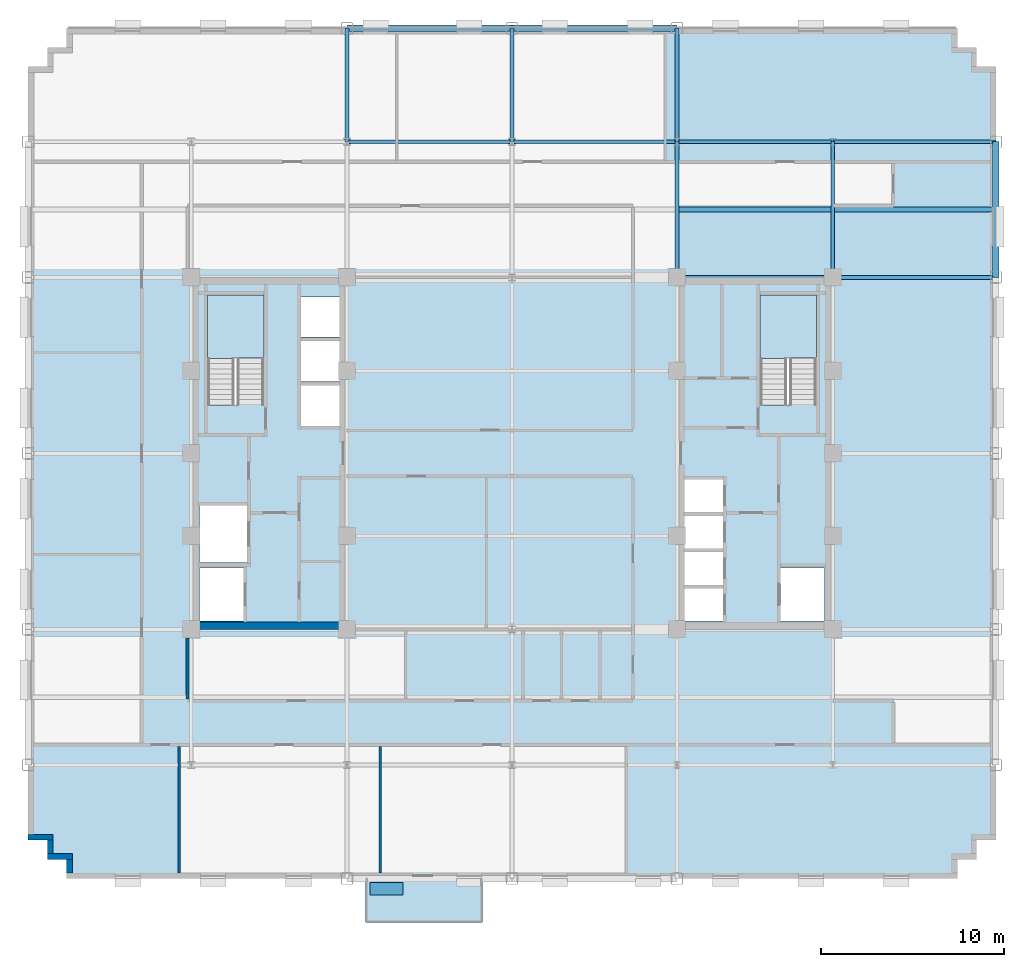
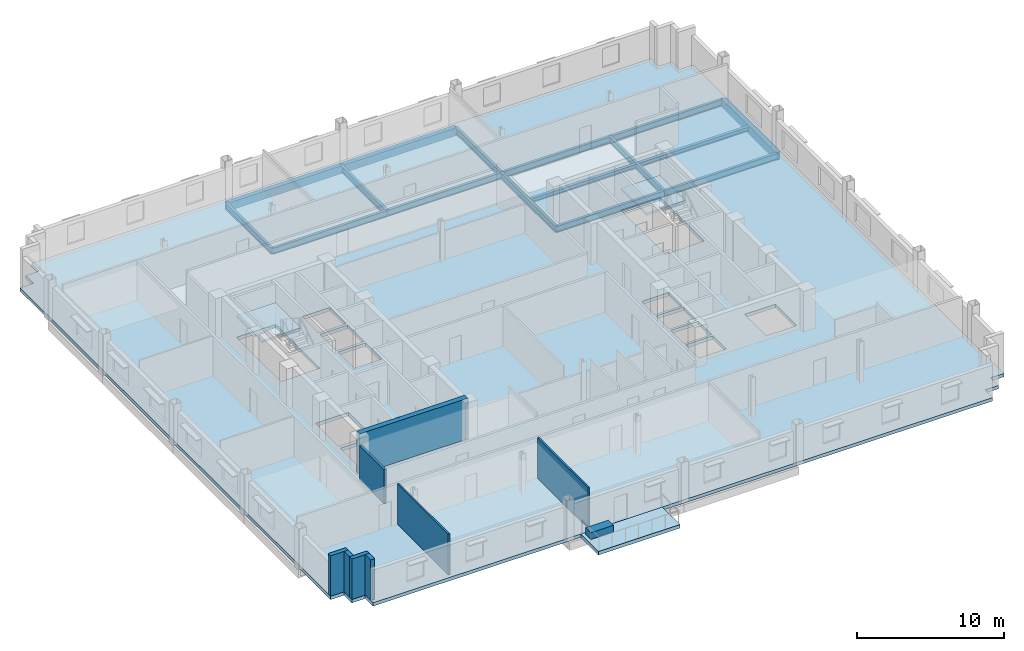
# One storey, part 5 of 13: 16 beams, 8 walls, 4 slabs, 1 plate, 2 elements without a shape of their own.
"""IFC4 building model written with IfcOpenShell, lengths in metres."""

from ifc_helpers import new_model, si_unit, direction, frame, frame_2d, origin, origin_2d, place, context, subcontext, project, spatial, polyline, rectangle, i_section, outline, extrude, source, transform, mapped, material, layer, layer_set, material_profile, profile_set, type_object, type_shapes, element, aggregate, save


model = new_model("IFC4")

# Units and contexts
model_context = context("Model", 3, precision=1e-05, world=origin(), true_north=direction((0.0, 1.0)))
body_context = subcontext(model_context, "Body", "Model", "MODEL_VIEW")
ifc_project = project(units=[si_unit("LENGTHUNIT", "METRE"), si_unit("AREAUNIT", "SQUARE_METRE"), si_unit("VOLUMEUNIT", "CUBIC_METRE"), si_unit("PLANEANGLEUNIT", "RADIAN"), si_unit("MASSUNIT", "GRAM", prefix="KILO")], contexts=[model_context])

# Site, building, storey
site_placement = place(None, origin())
site = spatial("IfcSite", under=ifc_project, at=site_placement, CompositionType="ELEMENT")
building_placement = place(site_placement, origin())
building = spatial("IfcBuilding", under=site, at=building_placement, Name="Nuvemarco Arch Tower", CompositionType="ELEMENT")
storey_placement = place(building_placement, frame((0.0, 0.0, 153.050048828125)))
storey = spatial("IfcBuildingStorey", under=building, at=storey_placement, Name="L40", CompositionType="ELEMENT", Elevation=153.050048828125)

# Beams
ifc_material_1 = material(Name="Steel S355", Category="steel")
ifc_material_profile_1 = material_profile(ifc_material_1, i_section(OverallWidth=0.2109375, OverallDepth=0.5390625, WebThickness=0.01171875, FlangeThickness=0.018798828125, FilletRadius=0.01611328125, at=origin_2d()), Name="W530x109")
ifc_profile_set_1 = profile_set([ifc_material_profile_1], Name="Steel S355")
beam_type_1 = type_object("IfcBeamType", Name="BM-GIRD-530", PredefinedType="BEAM", material=ifc_profile_set_1)
for number, where, z_axis, x_axis, name in (
    (1, (-9.0, 17.0, -0.549560546875), (0.0, 1.0, 0.0), (-1.0, 0.0, 0.0), "L40 structural beam BGNS_L40_0_-9.0_+17.0"),
    (2, (0.0, 17.0, -0.549560546875), (0.0, 1.0, 0.0), (-1.0, 0.0, 0.0), "L40 structural beam BGNS_L40_0_+0.0_+17.0"),
):
    element("IfcBeam", number, at=place(storey_placement, frame(where, z_axis=z_axis, x_axis=x_axis)), inside=storey, type_object=beam_type_1, Name=name, PredefinedType="BEAM", context=body_context, shape_type="SweptSolid", body=[
        extrude(i_section(OverallWidth=0.2109375, OverallDepth=0.5390625, WebThickness=0.01171875, FlangeThickness=0.018798828125, FilletRadius=0.01611328125, at=origin_2d()), origin(), (0.0, 0.0, 1.0), 6.199951171875),
    ])
beam_1_placement = place(storey_placement, frame((9.0, 9.60009765625, -0.549560546875), z_axis=(0.0, 1.0, 0.0), x_axis=(-1.0, 0.0, 0.0)))
element("IfcBeam", 3, at=beam_1_placement, inside=storey, type_object=beam_type_1, Name="L40 structural beam BGNS_L40_0_+9.0_+9.6", PredefinedType="BEAM", context=body_context, shape_type="SweptSolid", body=[
    extrude(i_section(OverallWidth=0.2109375, OverallDepth=0.5390625, WebThickness=0.01171875, FlangeThickness=0.018798828125, FilletRadius=0.01611328125, at=origin_2d()), origin(), (0.0, 0.0, 1.0), 7.39990234375),
])
beam_2_placement = place(storey_placement, frame((9.0, 17.0, -0.549560546875), z_axis=(0.0, 1.0, 0.0), x_axis=(-1.0, 0.0, 0.0)))
element("IfcBeam", 4, at=beam_2_placement, inside=storey, type_object=beam_type_1, Name="L40 structural beam BGNS_L40_0_+9.0_+17.0", PredefinedType="BEAM", context=body_context, shape_type="SweptSolid", body=[
    extrude(i_section(OverallWidth=0.2109375, OverallDepth=0.5390625, WebThickness=0.01171875, FlangeThickness=0.018798828125, FilletRadius=0.01611328125, at=origin_2d()), origin(), (0.0, 0.0, 1.0), 6.199951171875),
])
beam_3_placement = place(storey_placement, frame((17.5, 9.60009765625, -0.549560546875), z_axis=(0.0, 1.0, 0.0), x_axis=(-1.0, 0.0, 0.0)))
element("IfcBeam", 5, at=beam_3_placement, inside=storey, type_object=beam_type_1, Name="L40 structural beam BGNS_L40_0_+17.5_+9.6", PredefinedType="BEAM", context=body_context, shape_type="SweptSolid", body=[
    extrude(i_section(OverallWidth=0.2109375, OverallDepth=0.5390625, WebThickness=0.01171875, FlangeThickness=0.018798828125, FilletRadius=0.01611328125, at=origin_2d()), origin(), (0.0, 0.0, 1.0), 7.39990234375),
])
beam_4_placement = place(storey_placement, frame((9.0, 9.60009765625, -0.549560546875), z_axis=(1.0, 0.0, 0.0), x_axis=(0.0, 1.0, 0.0)))
element("IfcBeam", 6, at=beam_4_placement, inside=storey, type_object=beam_type_1, Name="L40 structural beam BGEW_L40_0_+9.6_+9.0", PredefinedType="BEAM", context=body_context, shape_type="SweptSolid", body=[
    extrude(i_section(OverallWidth=0.2109375, OverallDepth=0.5390625, WebThickness=0.01171875, FlangeThickness=0.018798828125, FilletRadius=0.01611328125, at=origin_2d()), origin(), (0.0, 0.0, 1.0), 8.5),
])
beam_5_placement = place(storey_placement, frame((17.5, 9.60009765625, -0.549560546875), z_axis=(1.0, 0.0, 0.0), x_axis=(0.0, 1.0, 0.0)))
element("IfcBeam", 7, at=beam_5_placement, inside=storey, type_object=beam_type_1, Name="L40 structural beam BGEW_L40_0_+9.6_+17.5", PredefinedType="BEAM", context=body_context, shape_type="SweptSolid", body=[
    extrude(i_section(OverallWidth=0.2109375, OverallDepth=0.5390625, WebThickness=0.01171875, FlangeThickness=0.018798828125, FilletRadius=0.01611328125, at=origin_2d()), origin(), (0.0, 0.0, 1.0), 8.89990234375),
])
for number, where, z_axis, x_axis, name in (
    (8, (-9.0, 17.0, -0.549560546875), (1.0, 0.0, 0.0), (0.0, 1.0, 0.0), "L40 structural beam BGEW_L40_0_+17.0_-9.0"),
    (9, (0.0, 17.0, -0.549560546875), (1.0, 0.0, 0.0), (0.0, 1.0, 0.0), "L40 structural beam BGEW_L40_0_+17.0_+0.0"),
):
    element("IfcBeam", number, at=place(storey_placement, frame(where, z_axis=z_axis, x_axis=x_axis)), inside=storey, type_object=beam_type_1, Name=name, PredefinedType="BEAM", context=body_context, shape_type="SweptSolid", body=[
        extrude(i_section(OverallWidth=0.2109375, OverallDepth=0.5390625, WebThickness=0.01171875, FlangeThickness=0.018798828125, FilletRadius=0.01611328125, at=origin_2d()), origin(), (0.0, 0.0, 1.0), 9.0),
    ])
beam_6_placement = place(storey_placement, frame((9.0, 17.0, -0.549560546875), z_axis=(1.0, 0.0, 0.0), x_axis=(0.0, 1.0, 0.0)))
element("IfcBeam", 10, at=beam_6_placement, inside=storey, type_object=beam_type_1, Name="L40 structural beam BGEW_L40_0_+17.0_+9.0", PredefinedType="BEAM", context=body_context, shape_type="SweptSolid", body=[
    extrude(i_section(OverallWidth=0.2109375, OverallDepth=0.5390625, WebThickness=0.01171875, FlangeThickness=0.018798828125, FilletRadius=0.01611328125, at=origin_2d()), origin(), (0.0, 0.0, 1.0), 8.5),
])
beam_7_placement = place(storey_placement, frame((17.5, 17.0, -0.549560546875), z_axis=(1.0, 0.0, 0.0), x_axis=(0.0, 1.0, 0.0)))
element("IfcBeam", 11, at=beam_7_placement, inside=storey, type_object=beam_type_1, Name="L40 structural beam BGEW_L40_0_+17.0_+17.5", PredefinedType="BEAM", context=body_context, shape_type="SweptSolid", body=[
    extrude(i_section(OverallWidth=0.2109375, OverallDepth=0.5390625, WebThickness=0.01171875, FlangeThickness=0.018798828125, FilletRadius=0.01611328125, at=origin_2d()), origin(), (0.0, 0.0, 1.0), 8.89990234375),
])
ifc_material_profile_2 = material_profile(ifc_material_1, i_section(OverallWidth=0.2548828125, OverallDepth=0.35693359375, WebThickness=0.010498046875, FlangeThickness=0.018310546875, FilletRadius=0.014892578125, at=origin_2d()), Name="W360x101")
ifc_profile_set_2 = profile_set([ifc_material_profile_2], Name="Steel S355")
beam_type_2 = type_object("IfcBeamType", Name="BM-JOIST-360H", PredefinedType="JOIST", material=ifc_profile_set_2)
beam_8_placement = place(storey_placement, frame((9.10546875, 13.300048828125, -0.45849609375), z_axis=(1.0, 0.0, 0.0), x_axis=(0.0, 1.0, 0.0)))
element("IfcBeam", 12, at=beam_8_placement, inside=storey, type_object=beam_type_2, Name="L40 structural beam BJ_L40_0_+13.3_+9.0", PredefinedType="JOIST", context=body_context, shape_type="SweptSolid", body=[
    extrude(i_section(OverallWidth=0.2548828125, OverallDepth=0.35693359375, WebThickness=0.010498046875, FlangeThickness=0.018310546875, FilletRadius=0.014892578125, at=origin_2d()), origin(), (0.0, 0.0, 1.0), 8.2890625),
])
beam_9_placement = place(storey_placement, frame((17.60546875, 13.300048828125, -0.45849609375), z_axis=(1.0, 0.0, 0.0), x_axis=(0.0, 1.0, 0.0)))
element("IfcBeam", 13, at=beam_9_placement, inside=storey, type_object=beam_type_2, Name="L40 structural beam BJ_L40_0_+13.3_+17.5", PredefinedType="JOIST", context=body_context, shape_type="SweptSolid", body=[
    extrude(i_section(OverallWidth=0.2548828125, OverallDepth=0.35693359375, WebThickness=0.010498046875, FlangeThickness=0.018310546875, FilletRadius=0.014892578125, at=origin_2d()), origin(), (0.0, 0.0, 1.0), 8.61962890625),
])
ifc_material_2 = material(Name="Precast concrete C45/55", Category="concrete")
ifc_material_profile_3 = material_profile(ifc_material_2, rectangle(XDim=0.35009765625, YDim=0.64990234375, at=origin_2d()), Name="PC-SP-350x650")
ifc_profile_set_3 = profile_set([ifc_material_profile_3], Name="Precast concrete C45/55")
beam_type_3 = type_object("IfcBeamType", Name="BM-SPAN-RC", PredefinedType="SPANDREL", material=ifc_profile_set_3)
beam_10_placement = place(storey_placement, frame((26.39990234375, 9.60009765625, -0.60498046875), z_axis=(0.0, 1.0, 0.0), x_axis=(-1.0, 0.0, 0.0)))
element("IfcBeam", 14, at=beam_10_placement, inside=storey, type_object=beam_type_3, Name="L40 structural beam BGNS_L40_0_+26.4_+9.6", PredefinedType="SPANDREL", context=body_context, shape_type="SweptSolid", body=[
    extrude(rectangle(XDim=0.35009765625, YDim=0.64990234375, at=origin_2d()), origin(), (0.0, 0.0, 1.0), 7.39990234375),
])
for number, where, z_axis, x_axis, name in (
    (15, (-9.0, 23.199951171875, -0.60498046875), (1.0, 0.0, 0.0), (0.0, 1.0, 0.0), "L40 structural beam BGEW_L40_0_+23.2_-9.0"),
    (16, (0.0, 23.199951171875, -0.60498046875), (1.0, 0.0, 0.0), (0.0, 1.0, 0.0), "L40 structural beam BGEW_L40_0_+23.2_+0.0"),
):
    element("IfcBeam", number, at=place(storey_placement, frame(where, z_axis=z_axis, x_axis=x_axis)), inside=storey, type_object=beam_type_3, Name=name, PredefinedType="SPANDREL", context=body_context, shape_type="SweptSolid", body=[
        extrude(rectangle(XDim=0.35009765625, YDim=0.64990234375, at=origin_2d()), origin(), (0.0, 0.0, 1.0), 9.0),
    ])

# Slab
ifc_material_3 = material(Name="Concrete C50/60", Category="concrete")
ifc_layer_1 = layer(ifc_material_3, 0.280029296875, Name="SL-FLR-280")
ifc_layer_set_1 = layer_set([ifc_layer_1], Name="Concrete C50/60")
slab_type_1 = type_object("IfcSlabType", Name="SL-FLR-280", PredefinedType="FLOOR", material=ifc_layer_set_1)
slab_1_placement = place(storey_placement, frame((0.0, 0.0, -0.280029296875)))
element("IfcSlab", 17, at=slab_1_placement, inside=storey, type_object=slab_type_1, Name="L40 structural floor slab", PredefinedType="FLOOR", context=body_context, shape_type="SweptSolid", body=[
    extrude(outline(polyline([(-24.300048828125, -23.199951171875), (24.300048828125, -23.199951171875), (24.300048828125, -22.14990234375), (25.35009765625, -22.14990234375), (25.35009765625, -21.10009765625), (26.39990234375, -21.10009765625), (26.39990234375, 21.10009765625), (25.35009765625, 21.10009765625), (25.35009765625, 22.14990234375), (24.300048828125, 22.14990234375), (24.300048828125, 23.199951171875), (-24.300048828125, 23.199951171875), (-24.300048828125, 22.14990234375), (-25.35009765625, 22.14990234375), (-25.35009765625, 21.10009765625), (-26.39990234375, 21.10009765625), (-26.39990234375, -21.10009765625), (-25.35009765625, -21.10009765625), (-25.35009765625, -22.14990234375), (-24.300048828125, -22.14990234375), (-24.300048828125, -23.199951171875)]), holes=[polyline([(-13.5400390625, 2.669921875), (-13.5400390625, 8.64990234375), (-16.60009765625, 8.64990234375), (-16.60009765625, 2.630615234375), (-15.070068359375, 2.630615234375), (-15.070068359375, 2.669921875), (-13.5400390625, 2.669921875)]), polyline([(16.60009765625, 2.669921875), (16.60009765625, 8.64990234375), (13.5400390625, 8.64990234375), (13.5400390625, 2.630615234375), (15.070068359375, 2.630615234375), (15.070068359375, 2.669921875), (16.60009765625, 2.669921875)]), polyline([(-17.050048828125, -9.14990234375), (-14.64990234375, -9.14990234375), (-14.64990234375, -6.25), (-17.050048828125, -6.25), (-17.050048828125, -9.14990234375)]), polyline([(-17.050048828125, -5.949951171875), (-14.449951171875, -5.949951171875), (-14.449951171875, -2.85009765625), (-17.050048828125, -2.85009765625), (-17.050048828125, -5.949951171875)]), polyline([(-11.5, 1.5), (-9.35009765625, 1.5), (-9.35009765625, 3.699951171875), (-11.5, 3.699951171875), (-11.5, 1.5)]), polyline([(-11.5, 3.919921875), (-9.35009765625, 3.919921875), (-9.35009765625, 6.1201171875), (-11.5, 6.1201171875), (-11.5, 3.919921875)]), polyline([(-11.5, 6.340087890625), (-9.35009765625, 6.340087890625), (-9.35009765625, 8.5400390625), (-11.5, 8.5400390625), (-11.5, 6.340087890625)]), polyline([(14.64990234375, -9.14990234375), (17.050048828125, -9.14990234375), (17.050048828125, -6.25), (14.64990234375, -6.25), (14.64990234375, -9.14990234375)]), polyline([(9.35009765625, -9.14990234375), (11.5, -9.14990234375), (11.5, -7.3701171875), (9.35009765625, -7.3701171875), (9.35009765625, -9.14990234375)]), polyline([(9.35009765625, -7.169921875), (11.5, -7.169921875), (11.5, -5.389892578125), (9.35009765625, -5.389892578125), (9.35009765625, -7.169921875)]), polyline([(9.35009765625, -5.18994140625), (11.5, -5.18994140625), (11.5, -3.409912109375), (9.35009765625, -3.409912109375), (9.35009765625, -5.18994140625)]), polyline([(9.35009765625, -3.2099609375), (11.5, -3.2099609375), (11.5, -1.429931640625), (9.35009765625, -1.429931640625), (9.35009765625, -3.2099609375)])]), origin(), (0.0, 0.0, 1.0), 0.280029296875),
])

# Stair, slab
stair_type = type_object("IfcStairType", Name="ST-CORE-20R", PredefinedType="HALF_TURN_STAIR", material=ifc_material_2)
stair_1_placement = place(storey_placement, origin())
stair_1 = element("IfcStair", 18, at=stair_1_placement, inside=storey, type_object=stair_type, Name="L40 Protected Exit Stair ST-1", PredefinedType="HALF_TURN_STAIR")
ifc_layer_2 = layer(ifc_material_2, 0.199951171875, Name="SL-LANDING-200")
ifc_layer_set_2 = layer_set([ifc_layer_2], Name="Precast concrete C45/55")
slab_type_2 = type_object("IfcSlabType", Name="SL-LANDING-200", PredefinedType="LANDING", material=ifc_layer_set_2)
slab_2_placement = place(storey_placement, frame((0.0, 0.0, 1.625)))
slab_2 = element("IfcSlab", 19, at=slab_2_placement, type_object=slab_type_2, Name="ST-20R landing 1", PredefinedType="LANDING", context=body_context, shape_type="SweptSolid", body=[
    extrude(outline(polyline([(-13.5400390625, 5.189453125), (-13.5400390625, 8.64990234375), (-16.60009765625, 8.64990234375), (-16.60009765625, 5.169921875), (-15.070068359375, 5.169921875), (-15.070068359375, 5.189453125), (-13.5400390625, 5.189453125)])), origin(), (0.0, 0.0, 1.0), 0.199951171875),
])
aggregate(stair_1, [slab_2])

stair_2_placement = place(storey_placement, origin())
stair_2 = element("IfcStair", 20, at=stair_2_placement, inside=storey, type_object=stair_type, Name="L40 Protected Exit Stair ST-2", PredefinedType="HALF_TURN_STAIR")
slab_3_placement = place(storey_placement, frame((0.0, 0.0, 1.625)))
slab_3 = element("IfcSlab", 21, at=slab_3_placement, type_object=slab_type_2, Name="ST-20R landing 1", PredefinedType="LANDING", context=body_context, shape_type="SweptSolid", body=[
    extrude(outline(polyline([(16.60009765625, 5.189453125), (16.60009765625, 8.64990234375), (13.5400390625, 8.64990234375), (13.5400390625, 5.169921875), (15.070068359375, 5.169921875), (15.070068359375, 5.189453125), (16.60009765625, 5.189453125)])), origin(), (0.0, 0.0, 1.0), 0.199951171875),
])
aggregate(stair_2, [slab_3])

# Slab
ifc_layer_3 = layer(ifc_material_3, 0.294921875, Name="SL-TR4")
ifc_layer_set_3 = layer_set([ifc_layer_3], Name="Concrete C50/60")
slab_type_3 = type_object("IfcSlabType", Name="SL-TR4", PredefinedType="FLOOR", material=ifc_layer_set_3)
slab_4_placement = place(storey_placement, frame((0.0, 0.0, -0.295166015625)))
element("IfcSlab", 22, at=slab_4_placement, inside=storey, type_object=slab_type_3, Name="L40 outdoor spiral terrace slab 1", PredefinedType="FLOOR", context=body_context, shape_type="SweptSolid", body=[
    extrude(outline(polyline([(-8.0, -25.60009765625), (-1.60009765625, -25.60009765625), (-1.60009765625, -23.199951171875), (-8.0, -23.199951171875), (-8.0, -25.60009765625)])), origin(), (0.0, 0.0, 1.0), 0.295166015625),
])

# Plate
ifc_layer_4 = layer(ifc_material_2, 0.550048828125, Name="Tree Balcony Structural Planter")
ifc_layer_set_4 = layer_set([ifc_layer_4], Name="Precast concrete C45/55")
plate_type = type_object("IfcPlateType", Name="Tree Balcony Structural Planter", PredefinedType="USERDEFINED", material=ifc_layer_set_4)
shared_shape = source(origin(), body_context, "Body", "SweptSolid", [
    extrude(rectangle(XDim=1.800048828125, YDim=0.699951171875, at=origin_2d()), origin(), (0.0, 0.0, 1.0), 0.550048828125),
])
type_shapes(plate_type, [shared_shape])
plate_placement = place(storey_placement, frame((-6.85009765625, -23.75, 0.0), z_axis=(0.0, 0.0, 1.0), x_axis=(1.0, 0.0, 0.0)))
element("IfcPlate", 23, at=plate_placement, inside=storey, type_object=plate_type, Name="L40 Tree Balcony Structural Planter", ObjectType="PLANTER", PredefinedType="USERDEFINED", context=body_context, shape_type="MappedRepresentation", body=[
    mapped(shared_shape, transform((0.0, 0.0, 0.0), scale=1.0)),
])

# Walls
ifc_layer_5 = layer(ifc_material_2, 0.320068359375, Name="EW-MID-320")
ifc_layer_set_5 = layer_set([ifc_layer_5], Name="Precast concrete C45/55")
wall_type_1 = type_object("IfcWallType", Name="EW-MID-320", PredefinedType="STANDARD", material=ifc_layer_set_5)
wall_1_placement = place(storey_placement, frame((-26.39990234375, -20.93994140625, 0.0), z_axis=(0.0, 0.0, 1.0), x_axis=(1.0, 0.0, 0.0)))
element("IfcWall", 24, at=wall_1_placement, inside=storey, type_object=wall_type_1, Name="L40 exterior precast facade wall 17", PredefinedType="STANDARD", context=body_context, shape_type="SweptSolid", body=[
    extrude(rectangle(XDim=1.369873046875, YDim=0.320068359375, at=frame_2d((0.68505859375, 0.0))), origin(), (0.0, 0.0, 1.0), 3.35986328125),
])
wall_2_placement = place(storey_placement, frame((-25.18994140625, -21.833984375, 0.0), z_axis=(0.0, 0.0, 1.0), x_axis=(0.0, 1.0, 0.0)))
element("IfcWall", 25, at=wall_2_placement, inside=storey, type_object=wall_type_1, Name="L40 exterior precast facade wall 18", PredefinedType="STANDARD", context=body_context, shape_type="SweptSolid", body=[
    extrude(rectangle(XDim=0.738037109375, YDim=0.320068359375, at=frame_2d((0.369140625, 0.0))), origin(), (0.0, 0.0, 1.0), 3.35986328125),
])
wall_3_placement = place(storey_placement, frame((-25.35009765625, -21.989990234375, 0.0), z_axis=(0.0, 0.0, 1.0), x_axis=(1.0, 0.0, 0.0)))
element("IfcWall", 26, at=wall_3_placement, inside=storey, type_object=wall_type_1, Name="L40 exterior precast facade wall 19", PredefinedType="STANDARD", context=body_context, shape_type="SweptSolid", body=[
    extrude(rectangle(XDim=1.3701171875, YDim=0.320068359375, at=frame_2d((0.68505859375, 0.0))), origin(), (0.0, 0.0, 1.0), 3.35986328125),
])
wall_4_placement = place(storey_placement, frame((-24.139892578125, -22.884033203125, 0.0), z_axis=(0.0, 0.0, 1.0), x_axis=(0.0, 1.0, 0.0)))
element("IfcWall", 27, at=wall_4_placement, inside=storey, type_object=wall_type_1, Name="L40 exterior precast facade wall 20", PredefinedType="STANDARD", context=body_context, shape_type="SweptSolid", body=[
    extrude(rectangle(XDim=0.738037109375, YDim=0.320068359375, at=frame_2d((0.369140625, 0.0))), origin(), (0.0, 0.0, 1.0), 3.35986328125),
])
ifc_material_4 = material(Name="Concrete C60/75", Category="concrete")
ifc_layer_6 = layer(ifc_material_4, 0.39990234375, Name="WL-CORE-400")
ifc_layer_set_6 = layer_set([ifc_layer_6], Name="Concrete C60/75")
wall_type_2 = type_object("IfcWallType", Name="WL-CORE-400", PredefinedType="SHEAR", material=ifc_layer_set_6)
wall_5_placement = place(storey_placement, frame((-17.5, -9.39990234375, 0.0), z_axis=(0.0, 0.0, 1.0), x_axis=(1.0, 0.0, 0.0)))
element("IfcWall", 28, at=wall_5_placement, inside=storey, type_object=wall_type_2, Name="L40 W-core shear wall S", PredefinedType="SHEAR", context=body_context, shape_type="SweptSolid", body=[
    extrude(rectangle(XDim=8.5, YDim=0.39990234375, at=frame_2d((4.25, 0.0))), origin(), (0.0, 0.0, 1.0), 3.369873046875),
])
ifc_material_5 = material(Name="Fire-rated gypsum drywall partition")
ifc_layer_7 = layer(ifc_material_5, 0.179931640625, Name="WL-CORR-180")
ifc_layer_set_7 = layer_set([ifc_layer_7], Name="Fire-rated gypsum drywall partition")
wall_type_3 = type_object("IfcWallType", Name="WL-CORR-180", PredefinedType="PARTITIONING", material=ifc_layer_set_7)
wall_6_placement = place(storey_placement, frame((-17.699951171875, -13.4140625, 0.0), z_axis=(0.0, 0.0, 1.0), x_axis=(0.0, 1.0, 0.0)))
element("IfcWall", 29, at=wall_6_placement, inside=storey, type_object=wall_type_3, Name="L40 interior wall IW-L40-017", PredefinedType="PARTITIONING", context=body_context, shape_type="SweptSolid", body=[
    extrude(rectangle(XDim=3.343017578125, YDim=0.179931640625, at=frame_2d((1.67138671875, 0.0))), origin(), (0.0, 0.0, 1.0), 2.81591796875),
])
ifc_material_6 = material(Name="Glazed acoustic office partition")
ifc_layer_8 = layer(ifc_material_6, 0.1298828125, Name="WL-EXEC-130")
ifc_layer_set_8 = layer_set([ifc_layer_8], Name="Glazed acoustic office partition")
wall_type_4 = type_object("IfcWallType", Name="WL-EXEC-130", PredefinedType="PARTITIONING", material=ifc_layer_set_8)
for number, where, z_axis, x_axis, name in (
    (30, (-18.14990234375, -22.8798828125, 0.0), (0.0, 0.0, 1.0), (0.0, 1.0, 0.0), "L40 interior wall IW-L40-016"),
    (31, (-7.179931640625, -22.8798828125, 0.0), (0.0, 0.0, 1.0), (0.0, 1.0, 0.0), "L40 interior wall IW-L40-019"),
):
    element("IfcWall", number, at=place(storey_placement, frame(where, z_axis=z_axis, x_axis=x_axis)), inside=storey, type_object=wall_type_4, Name=name, PredefinedType="PARTITIONING", context=body_context, shape_type="SweptSolid", body=[
        extrude(rectangle(XDim=6.893798828125, YDim=0.1298828125, at=frame_2d((3.44677734375, 0.0))), origin(), (0.0, 0.0, 1.0), 3.35986328125),
    ])

save(model, "model.ifc")
